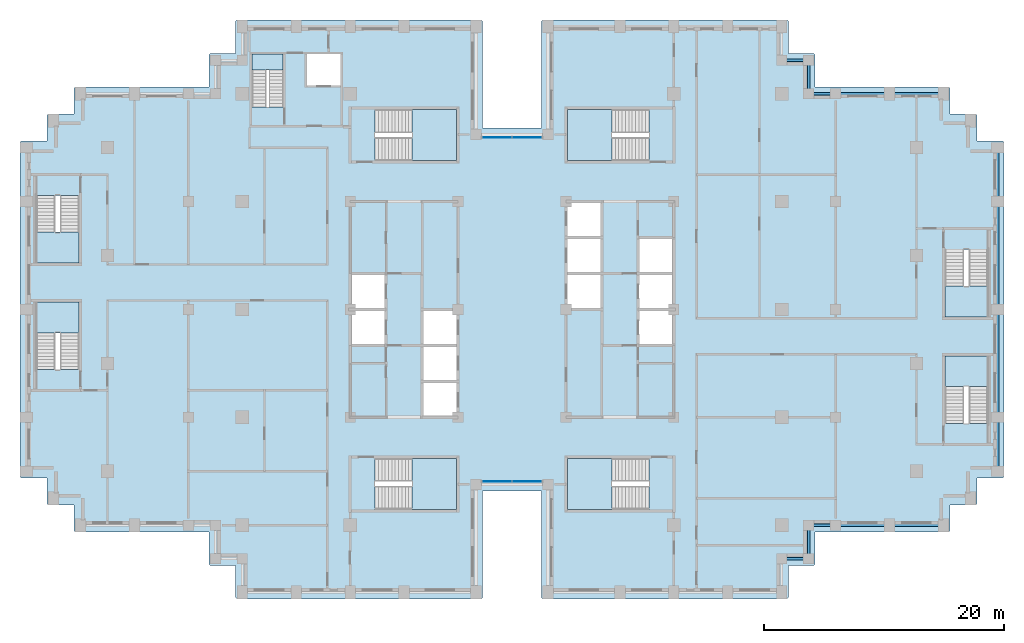
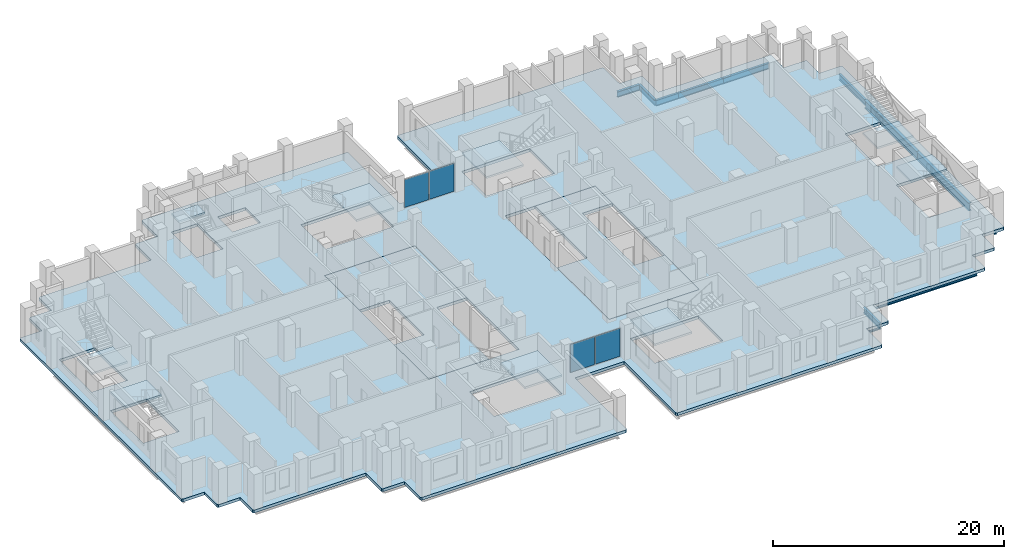
# One storey, part 5 of 15: 14 beams, 12 slabs, 4 plates, 11 elements without a shape of their own.
"""IFC4 building model written with IfcOpenShell, lengths in metres."""

from ifc_helpers import new_model, si_unit, direction, frame, origin, origin_2d, place, context, subcontext, project, spatial, polyline, rectangle, i_section, outline, extrude, material, layer, layer_set, material_profile, profile_set, type_object, element, aggregate, save


model = new_model("IFC4")

# Units and contexts
model_context = context("Model", 3, precision=1e-05, world=origin(), true_north=direction((0.0, 1.0)))
body_context = subcontext(model_context, "Body", "Model", "MODEL_VIEW")
ifc_project = project(units=[si_unit("LENGTHUNIT", "METRE"), si_unit("AREAUNIT", "SQUARE_METRE"), si_unit("VOLUMEUNIT", "CUBIC_METRE"), si_unit("PLANEANGLEUNIT", "RADIAN"), si_unit("MASSUNIT", "GRAM", prefix="KILO")], contexts=[model_context])

# Site, building, storey
site_placement = place(None, origin())
site = spatial("IfcSite", under=ifc_project, at=site_placement, CompositionType="ELEMENT")
building_placement = place(site_placement, origin())
building = spatial("IfcBuilding", under=site, at=building_placement, Name="Corbelhall Arena Tower", CompositionType="ELEMENT")
storey_placement = place(building_placement, frame((0.0, 0.0, 166.0)))
storey = spatial("IfcBuildingStorey", under=building, at=storey_placement, Name="L33", CompositionType="ELEMENT", Elevation=166.0)

# Beams
ifc_material_1 = material(Name="Steel ASTM A992 Gr50", Category="steel")
ifc_material_profile_1 = material_profile(ifc_material_1, i_section(OverallWidth=0.22900390625, OverallDepth=0.612060546875, WebThickness=0.011962890625, FlangeThickness=0.01953125, at=origin_2d()))
ifc_profile_set_1 = profile_set([ifc_material_profile_1], Name="Steel ASTM A992 Gr50")
beam_type_1 = type_object("IfcBeamType", Name="ST-SPANDREL-W24x84", PredefinedType="SPANDREL", material=ifc_profile_set_1)
for number, where, z_axis, x_axis, name in (
    (1, (40.5, 13.5, -0.60595703125), (0.0, -1.0, 0.0), (1.0, 0.0, 0.0), "Beam SP 10"),
    (2, (40.5, -9.0, -0.60595703125), (0.0, -1.0, 0.0), (1.0, 0.0, 0.0), "Beam SP 11"),
    (3, (31.5, 18.0, -0.60595703125), (1.0, 0.0, 0.0), (0.0, 1.0, 0.0), "Beam SP 12"),
    (4, (31.5, -18.0, -0.60595703125), (-1.0, 0.0, 0.0), (0.0, -1.0, 0.0), "Beam SP 13"),
    (5, (36.0, -18.0, -0.60595703125), (-1.0, 0.0, 0.0), (0.0, -1.0, 0.0), "Beam SP 14"),
    (6, (27.0, 18.0, -0.60595703125), (1.0, 0.0, 0.0), (0.0, 1.0, 0.0), "Beam SP 15"),
):
    element("IfcBeam", number, at=place(storey_placement, frame(where, z_axis=z_axis, x_axis=x_axis)), inside=storey, type_object=beam_type_1, Name=name, PredefinedType="SPANDREL", context=body_context, shape_type="SweptSolid", body=[
        extrude(i_section(OverallWidth=0.22900390625, OverallDepth=0.612060546875, WebThickness=0.011962890625, FlangeThickness=0.01953125, at=origin_2d()), origin(), (0.0, 0.0, 1.0), 4.5),
    ])
for number, where, z_axis, x_axis, name in (
    (7, (27.0, -18.0, -0.60595703125), (-1.0, 0.0, 0.0), (0.0, -1.0, 0.0), "Beam SP 16"),
    (8, (22.5, 20.800048828125, -0.60595703125), (1.0, 0.0, 0.0), (0.0, 1.0, 0.0), "Beam SP 43"),
):
    element("IfcBeam", number, at=place(storey_placement, frame(where, z_axis=z_axis, x_axis=x_axis)), inside=storey, type_object=beam_type_1, Name=name, PredefinedType="SPANDREL", context=body_context, shape_type="SweptSolid", body=[
        extrude(i_section(OverallWidth=0.22900390625, OverallDepth=0.612060546875, WebThickness=0.011962890625, FlangeThickness=0.01953125, at=origin_2d()), origin(), (0.0, 0.0, 1.0), 2.25),
    ])
beam_1_placement = place(storey_placement, frame((24.75, 20.800048828125, -0.60595703125), z_axis=(0.0, -1.0, 0.0), x_axis=(1.0, 0.0, 0.0)))
element("IfcBeam", 9, at=beam_1_placement, inside=storey, type_object=beam_type_1, Name="Beam SP 44", PredefinedType="SPANDREL", context=body_context, shape_type="SweptSolid", body=[
    extrude(i_section(OverallWidth=0.22900390625, OverallDepth=0.612060546875, WebThickness=0.011962890625, FlangeThickness=0.01953125, at=origin_2d()), origin(), (0.0, 0.0, 1.0), 2.800048828125),
])
for number, where, z_axis, x_axis, name in (
    (10, (24.75, 18.0, -0.60595703125), (1.0, 0.0, 0.0), (0.0, 1.0, 0.0), "Beam SP 45"),
    (11, (24.75, -20.800048828125, -0.60595703125), (-1.0, 0.0, 0.0), (0.0, -1.0, 0.0), "Beam SP 50"),
):
    element("IfcBeam", number, at=place(storey_placement, frame(where, z_axis=z_axis, x_axis=x_axis)), inside=storey, type_object=beam_type_1, Name=name, PredefinedType="SPANDREL", context=body_context, shape_type="SweptSolid", body=[
        extrude(i_section(OverallWidth=0.22900390625, OverallDepth=0.612060546875, WebThickness=0.011962890625, FlangeThickness=0.01953125, at=origin_2d()), origin(), (0.0, 0.0, 1.0), 2.25),
    ])
beam_2_placement = place(storey_placement, frame((24.75, -18.0, -0.60595703125), z_axis=(0.0, -1.0, 0.0), x_axis=(1.0, 0.0, 0.0)))
element("IfcBeam", 12, at=beam_2_placement, inside=storey, type_object=beam_type_1, Name="Beam SP 51", PredefinedType="SPANDREL", context=body_context, shape_type="SweptSolid", body=[
    extrude(i_section(OverallWidth=0.22900390625, OverallDepth=0.612060546875, WebThickness=0.011962890625, FlangeThickness=0.01953125, at=origin_2d()), origin(), (0.0, 0.0, 1.0), 2.800048828125),
])
ifc_material_profile_2 = material_profile(ifc_material_1, i_section(OverallWidth=0.2919921875, OverallDepth=0.845703125, WebThickness=0.015380859375, FlangeThickness=0.0244140625, at=origin_2d()))
ifc_profile_set_2 = profile_set([ifc_material_profile_2], Name="Steel ASTM A992 Gr50")
beam_type_2 = type_object("IfcBeamType", Name="ST-SPANDREL-W33x141", PredefinedType="SPANDREL", material=ifc_profile_set_2)
for number, where, z_axis, x_axis, name in (
    (13, (40.5, 0.0, -0.722900390625), (0.0, -1.0, 0.0), (1.0, 0.0, 0.0), "Beam SP 8"),
    (14, (40.5, 9.0, -0.722900390625), (0.0, -1.0, 0.0), (1.0, 0.0, 0.0), "Beam SP 9"),
):
    element("IfcBeam", number, at=place(storey_placement, frame(where, z_axis=z_axis, x_axis=x_axis)), inside=storey, type_object=beam_type_2, Name=name, PredefinedType="SPANDREL", context=body_context, shape_type="SweptSolid", body=[
        extrude(i_section(OverallWidth=0.2919921875, OverallDepth=0.845703125, WebThickness=0.015380859375, FlangeThickness=0.0244140625, at=origin_2d()), origin(), (0.0, 0.0, 1.0), 9.0),
    ])

# Curtain wall, plates
ifc_material_2 = material(Name="Aluminium black anodised", Category="aluminium")
ifc_layer_1 = layer(ifc_material_2, 0.199951171875)
ifc_layer_set_1 = layer_set([ifc_layer_1], Name="EV-CW1 Slot back wall")
curtain_wall_type = type_object("IfcCurtainWallType", Name="EV-CW1 Slot back wall", PredefinedType="NOTDEFINED", material=ifc_layer_set_1)
curtain_wall_1_placement = place(storey_placement, origin())
curtain_wall_1 = element("IfcCurtainWall", 15, at=curtain_wall_1_placement, inside=storey, type_object=curtain_wall_type, Name="Curtain wall CW1", PredefinedType="NOTDEFINED")
ifc_material_3 = material(Name="Glass dark tinted laminated", Category="glass")
ifc_layer_2 = layer(ifc_material_3, 0.028076171875)
ifc_layer_set_2 = layer_set([ifc_layer_2], Name="EV-CW1-PANEL")
plate_type = type_object("IfcPlateType", Name="EV-CW1-PANEL", PredefinedType="CURTAIN_PANEL", material=ifc_layer_set_2)
plate_1_placement = place(storey_placement, frame((-1.25634765625, -14.35009765625, 0.0751953125), z_axis=(0.0, 0.0, 1.0), x_axis=(1.0, 0.0, 0.0)))
plate_1 = element("IfcPlate", 16, at=plate_1_placement, type_object=plate_type, Name="CW1 panel 1.1", PredefinedType="CURTAIN_PANEL", context=body_context, shape_type="SweptSolid", body=[
    extrude(rectangle(XDim=2.4375, YDim=0.028076171875, at=origin_2d()), origin(), (0.0, 0.0, 1.0), 2.949951171875),
])
plate_2_placement = place(storey_placement, frame((1.25634765625, -14.35009765625, 0.0751953125), z_axis=(0.0, 0.0, 1.0), x_axis=(1.0, 0.0, 0.0)))
plate_2 = element("IfcPlate", 17, at=plate_2_placement, type_object=plate_type, Name="CW1 panel 2.1", PredefinedType="CURTAIN_PANEL", context=body_context, shape_type="SweptSolid", body=[
    extrude(rectangle(XDim=2.4375, YDim=0.028076171875, at=origin_2d()), origin(), (0.0, 0.0, 1.0), 2.949951171875),
])
aggregate(curtain_wall_1, [plate_1, plate_2])

curtain_wall_2_placement = place(storey_placement, origin())
curtain_wall_2 = element("IfcCurtainWall", 18, at=curtain_wall_2_placement, inside=storey, type_object=curtain_wall_type, Name="Curtain wall CW1", PredefinedType="NOTDEFINED")
plate_3_placement = place(storey_placement, frame((1.25634765625, 14.35009765625, 0.0751953125), z_axis=(0.0, 0.0, 1.0), x_axis=(-1.0, 0.0, 0.0)))
plate_3 = element("IfcPlate", 19, at=plate_3_placement, type_object=plate_type, Name="CW1 panel 1.1", PredefinedType="CURTAIN_PANEL", context=body_context, shape_type="SweptSolid", body=[
    extrude(rectangle(XDim=2.4375, YDim=0.028076171875, at=origin_2d()), origin(), (0.0, 0.0, 1.0), 2.949951171875),
])
plate_4_placement = place(storey_placement, frame((-1.25634765625, 14.35009765625, 0.0751953125), z_axis=(0.0, 0.0, 1.0), x_axis=(-1.0, 0.0, 0.0)))
plate_4 = element("IfcPlate", 20, at=plate_4_placement, type_object=plate_type, Name="CW1 panel 2.1", PredefinedType="CURTAIN_PANEL", context=body_context, shape_type="SweptSolid", body=[
    extrude(rectangle(XDim=2.4375, YDim=0.028076171875, at=origin_2d()), origin(), (0.0, 0.0, 1.0), 2.949951171875),
])
aggregate(curtain_wall_2, [plate_3, plate_4])

# Slabs
ifc_material_4 = material(Name="Concrete C40/50", Category="concrete")
ifc_layer_3 = layer(ifc_material_4, 0.300048828125)
ifc_layer_set_3 = layer_set([ifc_layer_3], Name="IN-SL-CORE")
slab_type_1 = type_object("IfcSlabType", Name="IN-SL-CORE", PredefinedType="FLOOR", material=ifc_layer_set_3)
slab_1_placement = place(storey_placement, frame((0.0, 0.0, -0.300048828125)))
element("IfcSlab", 21, at=slab_1_placement, inside=storey, type_object=slab_type_1, Name="Core floor W", PredefinedType="FLOOR", context=body_context, shape_type="SweptSolid", body=[
    extrude(outline(polyline([(-7.5, 0.0), (-4.5, 0.0), (-4.5, 9.0), (-13.5, 9.0), (-13.5, 3.0), (-10.5, 3.0), (-10.5, 0.0), (-10.5, -3.0), (-13.5, -3.0), (-13.5, -9.0), (-7.5, -9.0), (-7.5, -6.0), (-7.5, -3.0), (-7.5, 0.0)])), origin(), (0.0, 0.0, 1.0), 0.300048828125),
])
slab_2_placement = place(storey_placement, frame((0.0, 0.0, -0.300048828125)))
element("IfcSlab", 22, at=slab_2_placement, inside=storey, type_object=slab_type_1, Name="Core floor E", PredefinedType="FLOOR", context=body_context, shape_type="SweptSolid", body=[
    extrude(outline(polyline([(7.5, 0.0), (4.5, 0.0), (4.5, -9.0), (13.5, -9.0), (13.5, -3.0), (10.5, -3.0), (10.5, 0.0), (10.5, 3.0), (10.5, 6.0), (13.5, 6.0), (13.5, 9.0), (7.5, 9.0), (7.5, 6.0), (7.5, 3.0), (7.5, 0.0)])), origin(), (0.0, 0.0, 1.0), 0.300048828125),
])

# Stair, slab
stair_type = type_object("IfcStairType", Name="IN-ST-TOWER", PredefinedType="HALF_TURN_STAIR", material=ifc_material_4)
stair_1_placement = place(storey_placement, origin())
stair_1 = element("IfcStair", 23, at=stair_1_placement, inside=storey, type_object=stair_type, Name="L33 Exit stair ST1", PredefinedType="HALF_TURN_STAIR")
ifc_layer_4 = layer(ifc_material_4, 0.199951171875)
ifc_layer_set_4 = layer_set([ifc_layer_4], Name="IN-SL-LANDING")
slab_type_2 = type_object("IfcSlabType", Name="IN-SL-LANDING", PredefinedType="LANDING", material=ifc_layer_set_4)
slab_3_placement = place(storey_placement, frame((0.0, 0.0, 1.800048828125)))
slab_3 = element("IfcSlab", 24, at=slab_3_placement, type_object=slab_type_2, Name="ST1 landing 1", PredefinedType="LANDING", context=body_context, shape_type="SweptSolid", body=[
    extrude(outline(polyline([(-8.344970703125, 12.425048828125), (-4.625, 12.425048828125), (-4.625, 16.675048828125), (-8.344970703125, 16.675048828125), (-8.344970703125, 12.425048828125)])), origin(), (0.0, 0.0, 1.0), 0.199951171875),
])
aggregate(stair_1, [slab_3])

stair_2_placement = place(storey_placement, origin())
stair_2 = element("IfcStair", 25, at=stair_2_placement, inside=storey, type_object=stair_type, Name="L33 Exit stair ST2", PredefinedType="HALF_TURN_STAIR")
slab_4_placement = place(storey_placement, frame((0.0, 0.0, 1.800048828125)))
slab_4 = element("IfcSlab", 26, at=slab_4_placement, type_object=slab_type_2, Name="ST2 landing 1", PredefinedType="LANDING", context=body_context, shape_type="SweptSolid", body=[
    extrude(outline(polyline([(-8.344970703125, -16.675048828125), (-4.625, -16.675048828125), (-4.625, -12.425048828125), (-8.344970703125, -12.425048828125), (-8.344970703125, -16.675048828125)])), origin(), (0.0, 0.0, 1.0), 0.199951171875),
])
aggregate(stair_2, [slab_4])

stair_3_placement = place(storey_placement, origin())
stair_3 = element("IfcStair", 27, at=stair_3_placement, inside=storey, type_object=stair_type, Name="L33 Exit stair ST3", PredefinedType="HALF_TURN_STAIR")
slab_5_placement = place(storey_placement, frame((0.0, 0.0, 1.800048828125)))
slab_5 = element("IfcSlab", 28, at=slab_5_placement, type_object=slab_type_2, Name="ST3 landing 1", PredefinedType="LANDING", context=body_context, shape_type="SweptSolid", body=[
    extrude(outline(polyline([(8.344970703125, 16.675048828125), (4.625, 16.675048828125), (4.625, 12.425048828125), (8.344970703125, 12.425048828125), (8.344970703125, 16.675048828125)])), origin(), (0.0, 0.0, 1.0), 0.199951171875),
])
aggregate(stair_3, [slab_5])

stair_4_placement = place(storey_placement, origin())
stair_4 = element("IfcStair", 29, at=stair_4_placement, inside=storey, type_object=stair_type, Name="L33 Exit stair ST4", PredefinedType="HALF_TURN_STAIR")
slab_6_placement = place(storey_placement, frame((0.0, 0.0, 1.800048828125)))
slab_6 = element("IfcSlab", 30, at=slab_6_placement, type_object=slab_type_2, Name="ST4 landing 1", PredefinedType="LANDING", context=body_context, shape_type="SweptSolid", body=[
    extrude(outline(polyline([(8.344970703125, -12.425048828125), (4.625, -12.425048828125), (4.625, -16.675048828125), (8.344970703125, -16.675048828125), (8.344970703125, -12.425048828125)])), origin(), (0.0, 0.0, 1.0), 0.199951171875),
])
aggregate(stair_4, [slab_6])

stair_5_placement = place(storey_placement, origin())
stair_5 = element("IfcStair", 31, at=stair_5_placement, inside=storey, type_object=stair_type, Name="L33 Exit stair SC1", PredefinedType="HALF_TURN_STAIR")
slab_7_placement = place(storey_placement, frame((0.0, 0.0, 1.800048828125)))
slab_7 = element("IfcSlab", 32, at=slab_7_placement, type_object=slab_type_2, Name="SC1 landing 1", PredefinedType="LANDING", context=body_context, shape_type="SweptSolid", body=[
    extrude(outline(polyline([(-39.699951171875, 6.445068359375), (-39.699951171875, 3.875), (-36.125, 3.875), (-36.125, 6.445068359375), (-39.699951171875, 6.445068359375)])), origin(), (0.0, 0.0, 1.0), 0.199951171875),
])
aggregate(stair_5, [slab_7])

stair_6_placement = place(storey_placement, origin())
stair_6 = element("IfcStair", 33, at=stair_6_placement, inside=storey, type_object=stair_type, Name="L33 Exit stair SC2", PredefinedType="HALF_TURN_STAIR")
slab_8_placement = place(storey_placement, frame((0.0, 0.0, 1.800048828125)))
slab_8 = element("IfcSlab", 34, at=slab_8_placement, type_object=slab_type_2, Name="SC2 landing 1", PredefinedType="LANDING", context=body_context, shape_type="SweptSolid", body=[
    extrude(outline(polyline([(-36.125, -1.945068359375), (-36.125, 0.625), (-39.699951171875, 0.625), (-39.699951171875, -1.945068359375), (-36.125, -1.945068359375)])), origin(), (0.0, 0.0, 1.0), 0.199951171875),
])
aggregate(stair_6, [slab_8])

stair_7_placement = place(storey_placement, origin())
stair_7 = element("IfcStair", 35, at=stair_7_placement, inside=storey, type_object=stair_type, Name="L33 Exit stair SD1", PredefinedType="HALF_TURN_STAIR")
slab_9_placement = place(storey_placement, frame((0.0, 0.0, 1.800048828125)))
slab_9 = element("IfcSlab", 36, at=slab_9_placement, type_object=slab_type_2, Name="SD1 landing 1", PredefinedType="LANDING", context=body_context, shape_type="SweptSolid", body=[
    extrude(outline(polyline([(39.699951171875, -6.445068359375), (39.699951171875, -3.875), (36.125, -3.875), (36.125, -6.445068359375), (39.699951171875, -6.445068359375)])), origin(), (0.0, 0.0, 1.0), 0.199951171875),
])
aggregate(stair_7, [slab_9])

stair_8_placement = place(storey_placement, origin())
stair_8 = element("IfcStair", 37, at=stair_8_placement, inside=storey, type_object=stair_type, Name="L33 Exit stair SD2", PredefinedType="HALF_TURN_STAIR")
slab_10_placement = place(storey_placement, frame((0.0, 0.0, 1.800048828125)))
slab_10 = element("IfcSlab", 38, at=slab_10_placement, type_object=slab_type_2, Name="SD2 landing 1", PredefinedType="LANDING", context=body_context, shape_type="SweptSolid", body=[
    extrude(outline(polyline([(36.125, 1.945068359375), (36.125, -0.625), (39.699951171875, -0.625), (39.699951171875, 1.945068359375), (36.125, 1.945068359375)])), origin(), (0.0, 0.0, 1.0), 0.199951171875),
])
aggregate(stair_8, [slab_10])

stair_9_placement = place(storey_placement, origin())
stair_9 = element("IfcStair", 39, at=stair_9_placement, inside=storey, type_object=stair_type, Name="L33 Exit stair ST5", PredefinedType="HALF_TURN_STAIR")
slab_11_placement = place(storey_placement, frame((0.0, 0.0, 1.800048828125)))
slab_11 = element("IfcSlab", 40, at=slab_11_placement, type_object=slab_type_2, Name="ST5 landing 1", PredefinedType="LANDING", context=body_context, shape_type="SweptSolid", body=[
    extrude(outline(polyline([(-19.094970703125, 19.97998046875), (-19.094970703125, 21.300048828125), (-21.695068359375, 21.300048828125), (-21.695068359375, 19.97998046875), (-19.094970703125, 19.97998046875)])), origin(), (0.0, 0.0, 1.0), 0.199951171875),
])
aggregate(stair_9, [slab_11])

# Slab
ifc_layer_5 = layer(ifc_material_4, 0.300048828125)
ifc_layer_set_5 = layer_set([ifc_layer_5], Name="ST-SLAB-FLOOR-300")
slab_type_3 = type_object("IfcSlabType", Name="ST-SLAB-FLOOR-300", PredefinedType="FLOOR", material=ifc_layer_set_5)
slab_12_placement = place(storey_placement, frame((0.0, 0.0, -0.300048828125)))
element("IfcSlab", 41, at=slab_12_placement, inside=storey, type_object=slab_type_3, Name="Floor slab L33 1", PredefinedType="FLOOR", context=body_context, shape_type="SweptSolid", body=[
    extrude(outline(polyline([(25.300048828125, 18.550048828125), (25.300048828125, 21.25), (25.199951171875, 21.35009765625), (23.050048828125, 21.35009765625), (23.050048828125, 24.050048828125), (22.949951171875, 24.14990234375), (2.550048828125, 24.14990234375), (2.449951171875, 24.050048828125), (2.449951171875, 15.14990234375), (-2.449951171875, 15.14990234375), (-2.449951171875, 24.050048828125), (-2.550048828125, 24.14990234375), (-22.949951171875, 24.14990234375), (-23.050048828125, 24.050048828125), (-23.050048828125, 21.35009765625), (-25.199951171875, 21.35009765625), (-25.300048828125, 21.25), (-25.300048828125, 18.550048828125), (-36.449951171875, 18.550048828125), (-36.550048828125, 18.449951171875), (-36.550048828125, 16.300048828125), (-38.699951171875, 16.300048828125), (-38.800048828125, 16.199951171875), (-38.800048828125, 14.050048828125), (-40.949951171875, 14.050048828125), (-41.050048828125, 13.949951171875), (-41.050048828125, -13.949951171875), (-40.949951171875, -14.050048828125), (-38.800048828125, -14.050048828125), (-38.800048828125, -16.199951171875), (-38.699951171875, -16.300048828125), (-36.550048828125, -16.300048828125), (-36.550048828125, -18.449951171875), (-36.449951171875, -18.550048828125), (-25.300048828125, -18.550048828125), (-25.300048828125, -21.25), (-25.199951171875, -21.35009765625), (-23.050048828125, -21.35009765625), (-23.050048828125, -24.050048828125), (-22.949951171875, -24.14990234375), (-2.550048828125, -24.14990234375), (-2.449951171875, -24.050048828125), (-2.449951171875, -15.14990234375), (2.449951171875, -15.14990234375), (2.449951171875, -24.050048828125), (2.550048828125, -24.14990234375), (22.949951171875, -24.14990234375), (23.050048828125, -24.050048828125), (23.050048828125, -21.35009765625), (25.199951171875, -21.35009765625), (25.300048828125, -21.25), (25.300048828125, -18.550048828125), (36.449951171875, -18.550048828125), (36.550048828125, -18.449951171875), (36.550048828125, -16.300048828125), (38.699951171875, -16.300048828125), (38.800048828125, -16.199951171875), (38.800048828125, -14.050048828125), (40.949951171875, -14.050048828125), (41.050048828125, -13.949951171875), (41.050048828125, 13.949951171875), (40.949951171875, 14.050048828125), (38.800048828125, 14.050048828125), (38.800048828125, 16.199951171875), (38.699951171875, 16.300048828125), (36.550048828125, 16.300048828125), (36.550048828125, 18.449951171875), (36.449951171875, 18.550048828125), (25.300048828125, 18.550048828125)]), holes=[polyline([(-13.5, 9.0), (-13.5, -9.0), (-4.5, -9.0), (-4.5, 9.0), (-13.5, 9.0)]), polyline([(4.5, 9.0), (4.5, -9.0), (13.5, -9.0), (13.5, 9.0), (4.5, 9.0)]), polyline([(-4.625, 16.675048828125), (-11.422119140625, 16.675048828125), (-11.422119140625, 12.425048828125), (-4.625, 12.425048828125), (-4.625, 16.675048828125)]), polyline([(-4.625, -16.675048828125), (-4.625, -12.425048828125), (-11.422119140625, -12.425048828125), (-11.422119140625, -16.675048828125), (-4.625, -16.675048828125)]), polyline([(11.422119140625, 16.675048828125), (4.625, 16.675048828125), (4.625, 12.425048828125), (11.422119140625, 12.425048828125), (11.422119140625, 16.675048828125)]), polyline([(11.422119140625, -16.675048828125), (11.422119140625, -12.425048828125), (4.625, -12.425048828125), (4.625, -16.675048828125), (11.422119140625, -16.675048828125)]), polyline([(-36.125, 3.875), (-36.125, 9.52197265625), (-39.699951171875, 9.52197265625), (-39.699951171875, 3.875), (-36.125, 3.875)]), polyline([(-36.125, 0.625), (-39.699951171875, 0.625), (-39.699951171875, -5.02197265625), (-36.125, -5.02197265625), (-36.125, 0.625)]), polyline([(39.699951171875, -9.52197265625), (39.699951171875, -3.875), (36.125, -3.875), (36.125, -9.52197265625), (39.699951171875, -9.52197265625)]), polyline([(39.699951171875, 5.02197265625), (36.125, 5.02197265625), (36.125, -0.625), (39.699951171875, -0.625), (39.699951171875, 5.02197265625)]), polyline([(-21.695068359375, 21.300048828125), (-21.695068359375, 16.903076171875), (-19.094970703125, 16.903076171875), (-19.094970703125, 21.300048828125), (-21.695068359375, 21.300048828125)]), polyline([(-14.300048828125, 21.300048828125), (-17.10009765625, 21.300048828125), (-17.10009765625, 18.699951171875), (-14.300048828125, 18.699951171875), (-14.300048828125, 21.300048828125)])]), origin(), (0.0, 0.0, 1.0), 0.300048828125),
])

save(model, "model.ifc")
